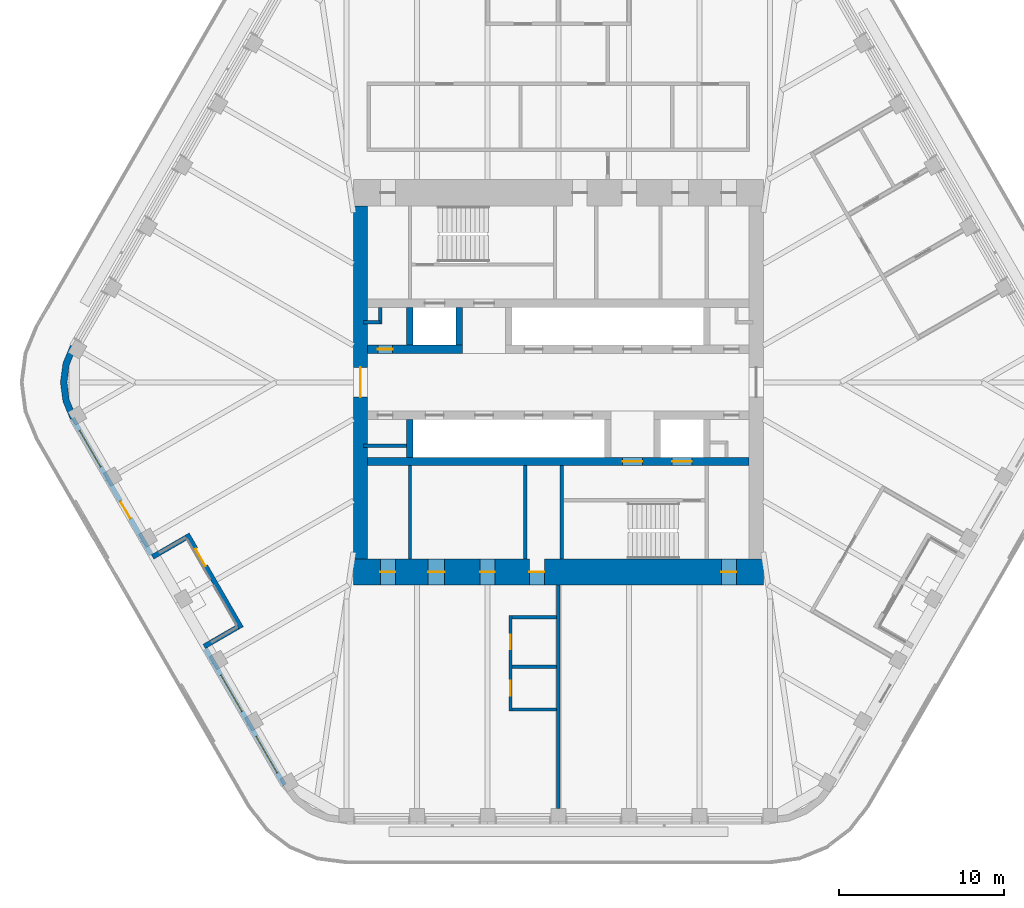
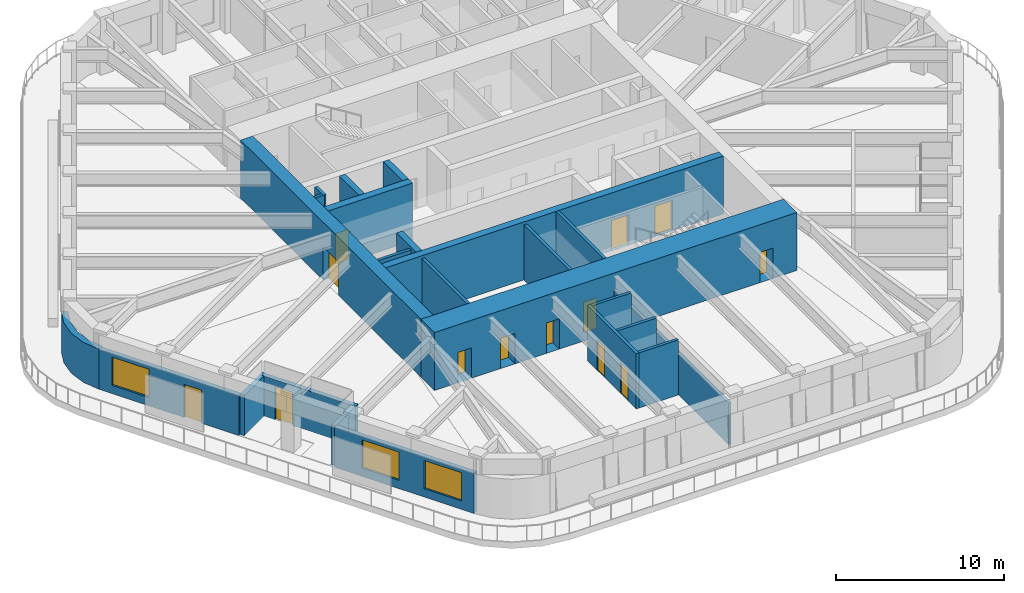
# One storey, part 13 of 19: 24 walls, 13 doors, 3 windows, 16 openings.
"""IFC4 building model written with IfcOpenShell, lengths in metres."""

from ifc_helpers import new_model, si_unit, direction, frame, frame_2d, origin, place, context, subcontext, project, spatial, polyline, rectangle, outline, extrude, material, layer, layer_set, type_object, element, fill, save


model = new_model("IFC4")

# Units and contexts
model_context = context("Model", 3, precision=1e-05, world=origin(), true_north=direction((0.0, 1.0)))
body_context = subcontext(model_context, "Body", "Model", "MODEL_VIEW")
ifc_project = project(units=[si_unit("LENGTHUNIT", "METRE"), si_unit("AREAUNIT", "SQUARE_METRE"), si_unit("VOLUMEUNIT", "CUBIC_METRE"), si_unit("PLANEANGLEUNIT", "RADIAN"), si_unit("MASSUNIT", "GRAM", prefix="KILO")], contexts=[model_context])

# Site, building, storey
site_placement = place(None, origin())
site = spatial("IfcSite", under=ifc_project, at=site_placement, CompositionType="ELEMENT")
building_placement = place(site_placement, origin())
building = spatial("IfcBuilding", under=site, at=building_placement, Name="Tarfa Lantern Tower", CompositionType="ELEMENT")
storey_placement = place(building_placement, frame((0.0, 0.0, 366.10009765625)))
storey = spatial("IfcBuildingStorey", under=building, at=storey_placement, Name="L83", CompositionType="ELEMENT", Elevation=366.10009765625)

# Wall, openings, door, window
ifc_material_1 = material(Name="Limestone cladding on blockwork", Category="masonry")
ifc_layer_1 = layer(ifc_material_1, 0.300048828125)
ifc_layer_set_1 = layer_set([ifc_layer_1], Name="EW1 STONE-CLAD WALL 300")
wall_type_1 = type_object("IfcWallType", Name="EW1 STONE-CLAD WALL 300", PredefinedType="SOLIDWALL", material=ifc_layer_set_1)
wall_1_placement = place(storey_placement, frame((-29.459228515625, -2.175048828125, 0.0), z_axis=(0.0, 0.0, 1.0), x_axis=(0.499996453679, -0.866027451244, 0.0)))
wall_1 = element("IfcWall", 1, at=wall_1_placement, inside=storey, type_object=wall_type_1, Name="Stone wall SW", PredefinedType="SOLIDWALL", context=body_context, shape_type="SweptSolid", body=[
    extrude(rectangle(XDim=9.56396484375, YDim=0.300048828125, at=frame_2d((4.781982421875, 0.0))), origin(), (0.0, 0.0, 1.0), 2.89990234375),
])
opening_1_placement = place(wall_1_placement, frame((0.865966796875, 0.0, 0.60009765625)))
opening_1 = element("IfcOpeningElement", 2, at=opening_1_placement, cuts=wall_1, Name="Opening W17", PredefinedType="OPENING", context=body_context, shape_type="SweptSolid", body=[
    extrude(rectangle(XDim=2.550048828125, YDim=2.050048828125, at=frame_2d((1.27490234375, 1.02490234375))), frame((0.0, 0.159912109375, 0.0), z_axis=(0.0, -1.0, 0.0), x_axis=(1.0, 0.0, 0.0)), (0.0, 0.0, 1.0), 0.320068359375),
])
opening_2_placement = place(wall_1_placement, frame((5.822998046875, 0.0, 0.0)))
opening_2 = element("IfcOpeningElement", 3, at=opening_2_placement, cuts=wall_1, Name="Opening D38", PredefinedType="OPENING", context=body_context, shape_type="SweptSolid", body=[
    extrude(rectangle(XDim=1.199951171875, YDim=2.39990234375, at=frame_2d((0.60009765625, 1.199951171875))), frame((0.0, 0.159912109375, 0.0), z_axis=(0.0, -1.0, 0.0), x_axis=(1.0, 0.0, 0.0)), (0.0, 0.0, 1.0), 0.320068359375),
])
ifc_material_2 = material(Name="Aluminium framed glazed door", Category="aluminium")
door_type_1 = type_object("IfcDoorType", Name="BE3 BALCONY DOOR 1200x2400", OperationType="SINGLE_SWING_RIGHT", PredefinedType="DOOR", material=ifc_material_2)
door_1_placement = place(opening_2_placement, origin())
door_1 = element("IfcDoor", 4, at=door_1_placement, inside=storey, type_object=door_type_1, Name="Balcony door SW", OperationType="SINGLE_SWING_LEFT", OverallHeight=2.39990234375, OverallWidth=1.199951171875, PredefinedType="DOOR", context=body_context, shape_type="SweptSolid", body=[
    extrude(rectangle(XDim=1.199951171875, YDim=2.39990234375, at=frame_2d((0.60009765625, 1.199951171875))), frame((0.0, 0.02490234375, 0.0), z_axis=(0.0, -1.0, 0.0), x_axis=(1.0, 0.0, 0.0)), (0.0, 0.0, 1.0), 0.050048828125),
])
fill(opening_2, door_1)
ifc_material_3 = material(Name="Aluminium frame, double glazed", Category="aluminium")
window_type = type_object("IfcWindowType", Name="W17 FULL-HEIGHT GLAZING 2550x2050", PartitioningType="SINGLE_PANEL", PredefinedType="WINDOW", material=ifc_material_3)
window_1_placement = place(opening_1_placement, origin())
window_1 = element("IfcWindow", 5, at=window_1_placement, inside=storey, type_object=window_type, Name="Window SW 1", OverallHeight=2.050048828125, OverallWidth=2.550048828125, PartitioningType="SINGLE_PANEL", PredefinedType="WINDOW", context=body_context, shape_type="SweptSolid", body=[
    extrude(rectangle(XDim=2.550048828125, YDim=2.050048828125, at=frame_2d((1.27490234375, 1.02490234375))), frame((0.0, 0.030029296875, 0.0), z_axis=(0.0, -1.0, 0.0), x_axis=(1.0, 0.0, 0.0)), (0.0, 0.0, 1.0), 0.06005859375),
])
fill(opening_1, window_1)

# Wall, openings, windows
wall_2_placement = place(storey_placement, frame((-21.395263671875, -16.142333984375, 0.0), z_axis=(0.0, 0.0, 1.0), x_axis=(0.499996453679, -0.866027451244, 0.0)))
wall_2 = element("IfcWall", 6, at=wall_2_placement, inside=storey, type_object=wall_type_1, Name="Stone wall SWB", PredefinedType="SOLIDWALL", context=body_context, shape_type="SweptSolid", body=[
    extrude(rectangle(XDim=9.56396484375, YDim=0.300048828125, at=frame_2d((4.781982421875, 0.0))), origin(), (0.0, 0.0, 1.0), 2.89990234375),
])
opening_3_placement = place(wall_2_placement, frame((1.865966796875, 0.0, 0.60009765625)))
opening_3 = element("IfcOpeningElement", 7, at=opening_3_placement, cuts=wall_2, Name="Opening W17", PredefinedType="OPENING", context=body_context, shape_type="SweptSolid", body=[
    extrude(rectangle(XDim=2.550048828125, YDim=2.050048828125, at=frame_2d((1.27490234375, 1.02490234375))), frame((0.0, 0.159912109375, 0.0), z_axis=(0.0, -1.0, 0.0), x_axis=(1.0, 0.0, 0.0)), (0.0, 0.0, 1.0), 0.320068359375),
])
opening_4_placement = place(wall_2_placement, frame((6.14794921875, 0.0, 0.60009765625)))
opening_4 = element("IfcOpeningElement", 8, at=opening_4_placement, cuts=wall_2, Name="Opening W17", PredefinedType="OPENING", context=body_context, shape_type="SweptSolid", body=[
    extrude(rectangle(XDim=2.550048828125, YDim=2.050048828125, at=frame_2d((1.27490234375, 1.02490234375))), frame((0.0, 0.159912109375, 0.0), z_axis=(0.0, -1.0, 0.0), x_axis=(1.0, 0.0, 0.0)), (0.0, 0.0, 1.0), 0.320068359375),
])
window_2_placement = place(opening_3_placement, origin())
window_2 = element("IfcWindow", 9, at=window_2_placement, inside=storey, type_object=window_type, Name="Window SWB 1", OverallHeight=2.050048828125, OverallWidth=2.550048828125, PartitioningType="SINGLE_PANEL", PredefinedType="WINDOW", context=body_context, shape_type="SweptSolid", body=[
    extrude(rectangle(XDim=2.550048828125, YDim=2.050048828125, at=frame_2d((1.27490234375, 1.02490234375))), frame((0.0, 0.030029296875, 0.0), z_axis=(0.0, -1.0, 0.0), x_axis=(1.0, 0.0, 0.0)), (0.0, 0.0, 1.0), 0.06005859375),
])
fill(opening_3, window_2)
window_3_placement = place(opening_4_placement, origin())
window_3 = element("IfcWindow", 10, at=window_3_placement, inside=storey, type_object=window_type, Name="Window SWB 2", OverallHeight=2.050048828125, OverallWidth=2.550048828125, PartitioningType="SINGLE_PANEL", PredefinedType="WINDOW", context=body_context, shape_type="SweptSolid", body=[
    extrude(rectangle(XDim=2.550048828125, YDim=2.050048828125, at=frame_2d((1.27490234375, 1.02490234375))), frame((0.0, 0.030029296875, 0.0), z_axis=(0.0, -1.0, 0.0), x_axis=(1.0, 0.0, 0.0)), (0.0, 0.0, 1.0), 0.06005859375),
])
fill(opening_4, window_3)

# Walls
for number, where, z_axis, x_axis, name in (
    (11, (-24.602294921875, -10.587646484375, 0.0), (0.0, 0.0, 1.0), (0.866016039709, 0.500016218704, 0.0), "Terrace return SW 1"),
    (12, (-21.47021484375, -16.012451171875, 0.0), (0.0, 0.0, 1.0), (0.866016039709, 0.500016218704, 0.0), "Terrace return SW 2"),
):
    element("IfcWall", number, at=place(storey_placement, frame(where, z_axis=z_axis, x_axis=x_axis)), inside=storey, type_object=wall_type_1, Name=name, PredefinedType="SOLIDWALL", context=body_context, shape_type="SweptSolid", body=[
        extrude(rectangle(XDim=2.35009765625, YDim=0.300048828125, at=frame_2d((1.175048828125, 0.0))), origin(), (0.0, 0.0, 1.0), 2.89990234375),
    ])

# Wall, opening, door
wall_3_placement = place(storey_placement, frame((-22.51220703125, -9.207763671875, 0.0), z_axis=(0.0, 0.0, 1.0), x_axis=(0.499999339774, -0.866025784966, 0.0)))
wall_3 = element("IfcWall", 13, at=wall_3_placement, inside=storey, type_object=wall_type_1, Name="Stone wall SWS", PredefinedType="SOLIDWALL", context=body_context, shape_type="SweptSolid", body=[
    extrude(rectangle(XDim=6.56396484375, YDim=0.300048828125, at=frame_2d((3.281982421875, 0.0))), origin(), (0.0, 0.0, 1.0), 2.89990234375),
])
opening_5_placement = place(wall_3_placement, frame((1.041015625, 0.0, 0.0)))
opening_5 = element("IfcOpeningElement", 14, at=opening_5_placement, cuts=wall_3, Name="Opening D39", PredefinedType="OPENING", context=body_context, shape_type="SweptSolid", body=[
    extrude(rectangle(XDim=1.199951171875, YDim=2.39990234375, at=frame_2d((0.60009765625, 1.199951171875))), frame((0.0, 0.159912109375, 0.0), z_axis=(0.0, -1.0, 0.0), x_axis=(1.0, 0.0, 0.0)), (0.0, 0.0, 1.0), 0.320068359375),
])
door_2_placement = place(opening_5_placement, origin())
door_2 = element("IfcDoor", 15, at=door_2_placement, inside=storey, type_object=door_type_1, Name="Balcony door SWS", OperationType="SINGLE_SWING_RIGHT", OverallHeight=2.39990234375, OverallWidth=1.199951171875, PredefinedType="DOOR", context=body_context, shape_type="SweptSolid", body=[
    extrude(rectangle(XDim=1.199951171875, YDim=2.39990234375, at=frame_2d((0.60009765625, 1.199951171875))), frame((0.0, 0.02490234375, 0.0), z_axis=(0.0, -1.0, 0.0), x_axis=(1.0, 0.0, 0.0)), (0.0, 0.0, 1.0), 0.050048828125),
])
fill(opening_5, door_2)

# Walls
ifc_layer_2 = layer(ifc_material_1, 0.39990234375)
ifc_layer_set_2 = layer_set([ifc_layer_2], Name="EW2 CURVED STONE CORNER 400")
wall_type_2 = type_object("IfcWallType", Name="EW2 CURVED STONE CORNER 400", PredefinedType="SOLIDWALL", material=ifc_layer_set_2)
wall_4_placement = place(storey_placement, origin())
element("IfcWall", 16, at=wall_4_placement, inside=storey, type_object=wall_type_2, Name="Stone corner NW-SW", PredefinedType="SOLIDWALL", context=body_context, shape_type="SweptSolid", body=[
    extrude(outline(polyline([(-29.589111328125, 2.25), (-30.038818359375, 1.164794921875), (-30.192138671875, 0.0), (-30.038818359375, -1.164794921875), (-29.589111328125, -2.25), (-29.24267578125, -2.050048828125), (-29.65234375, -1.061279296875), (-29.7919921875, 0.0), (-29.65234375, 1.061279296875), (-29.24267578125, 2.050048828125), (-29.589111328125, 2.25)])), origin(), (0.0, 0.0, 1.0), 2.89990234375),
])
ifc_material_4 = material(Name="Concrete blockwork", Category="masonry")
ifc_layer_3 = layer(ifc_material_4, 0.199951171875)
ifc_layer_set_3 = layer_set([ifc_layer_3], Name="IW1 BLOCKWORK PARTITION 200 EI 120")
wall_type_3 = type_object("IfcWallType", Name="IW1 BLOCKWORK PARTITION 200 EI 120", PredefinedType="PARTITIONING", material=ifc_layer_set_3)
for number, where, z_axis, x_axis, name in (
    (17, (-9.0, -5.050048828125, 0.0), (0.0, 0.0, 1.0), (0.0, -1.0, 0.0), "Core partition"),
    (18, (-2.0, -5.050048828125, 0.0), (0.0, 0.0, 1.0), (0.0, -1.0, 0.0), "Core partition"),
):
    element("IfcWall", number, at=place(storey_placement, frame(where, z_axis=z_axis, x_axis=x_axis)), inside=storey, type_object=wall_type_3, Name=name, PredefinedType="PARTITIONING", context=body_context, shape_type="SweptSolid", body=[
        extrude(rectangle(XDim=5.64990234375, YDim=0.199951171875, at=frame_2d((2.824951171875, 0.0))), origin(), (0.0, 0.0, 1.0), 4.0),
    ])
for number, where, z_axis, x_axis, name in (
    (19, (-11.800048828125, 3.64990234375, 0.0), (0.0, 0.0, 1.0), (1.0, 0.0, 0.0), "Core partition"),
    (20, (-10.800048828125, 3.550048828125, 0.0), (0.0, 0.0, 1.0), (0.0, 1.0, 0.0), "Core partition"),
):
    element("IfcWall", number, at=place(storey_placement, frame(where, z_axis=z_axis, x_axis=x_axis)), inside=storey, type_object=wall_type_3, Name=name, PredefinedType="PARTITIONING", context=body_context, shape_type="SweptSolid", body=[
        extrude(rectangle(XDim=1.0, YDim=0.199951171875, at=frame_2d((0.5, 0.0))), origin(), (0.0, 0.0, 1.0), 4.0),
    ])
wall_5_placement = place(storey_placement, frame((-9.199951171875, -3.85009765625, 0.0), z_axis=(0.0, 0.0, 1.0), x_axis=(-1.0, 0.0, 0.0)))
element("IfcWall", 21, at=wall_5_placement, inside=storey, type_object=wall_type_3, Name="Core partition", PredefinedType="PARTITIONING", context=body_context, shape_type="SweptSolid", body=[
    extrude(rectangle(XDim=2.60009765625, YDim=0.199951171875, at=frame_2d((1.300048828125, 0.0))), origin(), (0.0, 0.0, 1.0), 4.0),
])
ifc_material_5 = material(Name="Gypsum board on steel studs", Category="steel")
ifc_layer_4 = layer(ifc_material_5, 0.2099609375)
ifc_layer_set_4 = layer_set([ifc_layer_4], Name="IW2 ACOUSTIC PARTITION 200")
wall_type_4 = type_object("IfcWallType", Name="IW2 ACOUSTIC PARTITION 200", PredefinedType="PARTITIONING", material=ifc_layer_set_4)
wall_6_placement = place(storey_placement, frame((0.0, -12.300048828125, 0.0), z_axis=(0.0, 0.0, 1.0), x_axis=(0.0, -1.0, 0.0)))
element("IfcWall", 22, at=wall_6_placement, inside=storey, type_object=wall_type_4, Name="Partition", PredefinedType="PARTITIONING", context=body_context, shape_type="SweptSolid", body=[
    extrude(rectangle(XDim=13.550048828125, YDim=0.199951171875, at=frame_2d((6.77490234375, 0.0))), origin(), (0.0, 0.0, 1.0), 2.99169921875),
])

# Wall, openings, doors
wall_7_placement = place(storey_placement, frame((-2.89990234375, -14.142578125, 0.0), z_axis=(0.0, 0.0, 1.0), x_axis=(0.0, -1.0, 0.0)))
wall_7 = element("IfcWall", 23, at=wall_7_placement, inside=storey, type_object=wall_type_4, Name="Partition", PredefinedType="PARTITIONING", context=body_context, shape_type="SweptSolid", body=[
    extrude(rectangle(XDim=5.7998046875, YDim=0.199951171875, at=frame_2d((2.89990234375, 0.0))), origin(), (0.0, 0.0, 1.0), 4.0),
])
opening_6_placement = place(wall_7_placement, frame((1.14990234375, 0.0, 0.0)))
opening_6 = element("IfcOpeningElement", 24, at=opening_6_placement, cuts=wall_7, Name="Opening D31", PredefinedType="OPENING", context=body_context, shape_type="SweptSolid", body=[
    extrude(rectangle(XDim=0.89990234375, YDim=2.199951171875, at=frame_2d((0.449951171875, 1.10009765625))), frame((0.0, 0.10986328125, 0.0), z_axis=(0.0, -1.0, 0.0), x_axis=(1.0, 0.0, 0.0)), (0.0, 0.0, 1.0), 0.219970703125),
])
opening_7_placement = place(wall_7_placement, frame((3.949951171875, 0.0, 0.0)))
opening_7 = element("IfcOpeningElement", 25, at=opening_7_placement, cuts=wall_7, Name="Opening D32", PredefinedType="OPENING", context=body_context, shape_type="SweptSolid", body=[
    extrude(rectangle(XDim=0.89990234375, YDim=2.199951171875, at=frame_2d((0.449951171875, 1.10009765625))), frame((0.0, 0.10986328125, 0.0), z_axis=(0.0, -1.0, 0.0), x_axis=(1.0, 0.0, 0.0)), (0.0, 0.0, 1.0), 0.219970703125),
])
ifc_material_6 = material(Name="Timber door", Category="wood")
door_type_2 = type_object("IfcDoorType", Name="DR3 ROOM DOOR 900x2200", OperationType="SINGLE_SWING_LEFT", PredefinedType="DOOR", material=ifc_material_6)
door_3_placement = place(opening_6_placement, origin())
door_3 = element("IfcDoor", 26, at=door_3_placement, inside=storey, type_object=door_type_2, Name="Wellness room door", OperationType="SINGLE_SWING_RIGHT", OverallHeight=2.199951171875, OverallWidth=0.89990234375, PredefinedType="DOOR", context=body_context, shape_type="SweptSolid", body=[
    extrude(rectangle(XDim=0.89990234375, YDim=2.199951171875, at=frame_2d((0.449951171875, 1.10009765625))), frame((0.0, 0.02490234375, 0.0), z_axis=(0.0, -1.0, 0.0), x_axis=(1.0, 0.0, 0.0)), (0.0, 0.0, 1.0), 0.050048828125),
])
fill(opening_6, door_3)
door_4_placement = place(opening_7_placement, origin())
door_4 = element("IfcDoor", 27, at=door_4_placement, inside=storey, type_object=door_type_2, Name="Quiet room door", OperationType="SINGLE_SWING_LEFT", OverallHeight=2.199951171875, OverallWidth=0.89990234375, PredefinedType="DOOR", context=body_context, shape_type="SweptSolid", body=[
    extrude(rectangle(XDim=0.89990234375, YDim=2.199951171875, at=frame_2d((0.449951171875, 1.10009765625))), frame((0.0, 0.02490234375, 0.0), z_axis=(0.0, -1.0, 0.0), x_axis=(1.0, 0.0, 0.0)), (0.0, 0.0, 1.0), 0.050048828125),
])
fill(opening_7, door_4)

# Walls
for number, where, z_axis, x_axis, name in (
    (28, (-0.10009765625, -14.242431640625, 0.0), (0.0, 0.0, 1.0), (-1.0, 0.0, 0.0), "Partition"),
    (29, (-0.10009765625, -17.242431640625, 0.0), (0.0, 0.0, 1.0), (-1.0, 0.0, 0.0), "Partition"),
    (30, (-0.10009765625, -19.842529296875, 0.0), (0.0, 0.0, 1.0), (-1.0, 0.0, 0.0), "Partition"),
):
    element("IfcWall", number, at=place(storey_placement, frame(where, z_axis=z_axis, x_axis=x_axis)), inside=storey, type_object=wall_type_4, Name=name, PredefinedType="PARTITIONING", context=body_context, shape_type="SweptSolid", body=[
        extrude(rectangle(XDim=2.699951171875, YDim=0.199951171875, at=frame_2d((1.35009765625, 0.0))), origin(), (0.0, 0.0, 1.0), 4.0),
    ])
ifc_material_7 = material(Name="Concrete C80/95", Category="concrete")
ifc_layer_5 = layer(ifc_material_7, 0.199951171875)
ifc_layer_set_5 = layer_set([ifc_layer_5], Name="SW12 CORE WALL 200")
wall_type_5 = type_object("IfcWallType", Name="SW12 CORE WALL 200", PredefinedType="SHEAR", material=ifc_layer_set_5)
wall_8_placement = place(storey_placement, frame((0.199951171875, -5.050048828125, 0.0), z_axis=(0.0, 0.0, 1.0), x_axis=(0.0, -1.0, 0.0)))
element("IfcWall", 31, at=wall_8_placement, inside=storey, type_object=wall_type_5, Name="Core wall stair shaft S", PredefinedType="SHEAR", context=body_context, shape_type="SweptSolid", body=[
    extrude(rectangle(XDim=5.64990234375, YDim=0.199951171875, at=frame_2d((2.824951171875, 0.0))), origin(), (0.0, 0.0, 1.0), 4.199951171875),
])

# Wall, opening, door
ifc_layer_6 = layer(ifc_material_7, 0.85009765625)
ifc_layer_set_6 = layer_set([ifc_layer_6], Name="SW3 CORE WALL 850")
wall_type_6 = type_object("IfcWallType", Name="SW3 CORE WALL 850", PredefinedType="SHEAR", material=ifc_layer_set_6)
wall_9_placement = place(storey_placement, frame((-12.0, 10.699951171875, 0.0), z_axis=(0.0, 0.0, 1.0), x_axis=(0.0, -1.0, 0.0)))
wall_9 = element("IfcWall", 32, at=wall_9_placement, inside=storey, type_object=wall_type_6, Name="Core wall W", PredefinedType="SHEAR", context=body_context, shape_type="SweptSolid", body=[
    extrude(rectangle(XDim=21.39990234375, YDim=0.85009765625, at=frame_2d((10.699951171875, 0.0))), origin(), (0.0, 0.0, 1.0), 4.199951171875),
])
opening_8_placement = place(wall_9_placement, frame((9.800048828125, 0.0, 0.0)))
opening_8 = element("IfcOpeningElement", 33, at=opening_8_placement, cuts=wall_9, Name="Opening D08", PredefinedType="OPENING", context=body_context, shape_type="SweptSolid", body=[
    extrude(rectangle(XDim=1.800048828125, YDim=2.39990234375, at=frame_2d((0.89990234375, 1.199951171875))), frame((0.0, 0.43505859375, 0.0), z_axis=(0.0, -1.0, 0.0), x_axis=(1.0, 0.0, 0.0)), (0.0, 0.0, 1.0), 0.8701171875),
])
ifc_material_8 = material(Name="Steel fire door", Category="steel")
door_type_3 = type_object("IfcDoorType", Name="DL1 LOBBY DOOR 1800x2400", OperationType="DOUBLE_DOOR_SINGLE_SWING", PredefinedType="DOOR", material=ifc_material_8)
door_5_placement = place(opening_8_placement, frame((1.800048828125, 0.0, 0.0), z_axis=(0.0, 0.0, 1.0), x_axis=(-1.0, 0.0, 0.0)))
door_5 = element("IfcDoor", 34, at=door_5_placement, inside=storey, type_object=door_type_3, Name="Lift lobby door", OperationType="DOUBLE_DOOR_SINGLE_SWING", OverallHeight=2.39990234375, OverallWidth=1.800048828125, PredefinedType="DOOR", context=body_context, shape_type="SweptSolid", body=[
    extrude(rectangle(XDim=1.800048828125, YDim=2.39990234375, at=frame_2d((0.89990234375, 1.199951171875))), frame((0.0, 0.02490234375, 0.0), z_axis=(0.0, -1.0, 0.0), x_axis=(1.0, 0.0, 0.0)), (0.0, 0.0, 1.0), 0.050048828125),
])
fill(opening_8, door_5)

ifc_layer_7 = layer(ifc_material_7, 0.5)
ifc_layer_set_7 = layer_set([ifc_layer_7], Name="SW5 CORE WALL 500")
wall_type_7 = type_object("IfcWallType", Name="SW5 CORE WALL 500", PredefinedType="SHEAR", material=ifc_layer_set_7)
wall_10_placement = place(storey_placement, frame((-11.574951171875, 2.0, 0.0), z_axis=(0.0, 0.0, 1.0), x_axis=(1.0, 0.0, 0.0)))
wall_10 = element("IfcWall", 35, at=wall_10_placement, inside=storey, type_object=wall_type_7, Name="Core wall lobby west N", PredefinedType="SHEAR", context=body_context, shape_type="SweptSolid", body=[
    extrude(rectangle(XDim=5.77490234375, YDim=0.5, at=frame_2d((2.887451171875, 0.0))), origin(), (0.0, 0.0, 1.0), 4.199951171875),
])
opening_9_placement = place(wall_10_placement, frame((0.625, 0.0, 0.0)))
opening_9 = element("IfcOpeningElement", 36, at=opening_9_placement, cuts=wall_10, Name="Opening D11", PredefinedType="OPENING", context=body_context, shape_type="SweptSolid", body=[
    extrude(rectangle(XDim=0.89990234375, YDim=2.199951171875, at=frame_2d((0.449951171875, 1.10009765625))), frame((0.0, 0.260009765625, 0.0), z_axis=(0.0, -1.0, 0.0), x_axis=(1.0, 0.0, 0.0)), (0.0, 0.0, 1.0), 0.52001953125),
])
door_type_4 = type_object("IfcDoorType", Name="DF6 SERVICE ROOM DOOR 900x2200", OperationType="SINGLE_SWING_LEFT", PredefinedType="DOOR", material=ifc_material_8)
door_6_placement = place(opening_9_placement, origin())
door_6 = element("IfcDoor", 37, at=door_6_placement, inside=storey, type_object=door_type_4, Name="Service room door", OperationType="SINGLE_SWING_RIGHT", OverallHeight=2.199951171875, OverallWidth=0.89990234375, PredefinedType="DOOR", context=body_context, shape_type="SweptSolid", body=[
    extrude(rectangle(XDim=0.89990234375, YDim=2.199951171875, at=frame_2d((0.449951171875, 1.10009765625))), frame((0.0, 0.02490234375, 0.0), z_axis=(0.0, -1.0, 0.0), x_axis=(1.0, 0.0, 0.0)), (0.0, 0.0, 1.0), 0.050048828125),
])
fill(opening_9, door_6)

# Wall, openings, doors
wall_11_placement = place(storey_placement, frame((11.574951171875, -4.800048828125, 0.0), z_axis=(0.0, 0.0, 1.0), x_axis=(-1.0, 0.0, 0.0)))
wall_11 = element("IfcWall", 38, at=wall_11_placement, inside=storey, type_object=wall_type_7, Name="Core wall rear S", PredefinedType="SHEAR", context=body_context, shape_type="SweptSolid", body=[
    extrude(rectangle(XDim=23.14990234375, YDim=0.5, at=frame_2d((11.574951171875, 0.0))), origin(), (0.0, 0.0, 1.0), 4.199951171875),
])
opening_10_placement = place(wall_11_placement, frame((6.47509765625, 0.0, 0.0)))
opening_10 = element("IfcOpeningElement", 39, at=opening_10_placement, cuts=wall_11, Name="Opening D06", PredefinedType="OPENING", context=body_context, shape_type="SweptSolid", body=[
    extrude(rectangle(XDim=1.199951171875, YDim=2.199951171875, at=frame_2d((0.60009765625, 1.10009765625))), frame((0.0, 0.260009765625, 0.0), z_axis=(0.0, -1.0, 0.0), x_axis=(1.0, 0.0, 0.0)), (0.0, 0.0, 1.0), 0.52001953125),
])
opening_11_placement = place(wall_11_placement, frame((3.47509765625, 0.0, 0.0)))
opening_11 = element("IfcOpeningElement", 40, at=opening_11_placement, cuts=wall_11, Name="Opening LD02", PredefinedType="OPENING", context=body_context, shape_type="SweptSolid", body=[
    extrude(rectangle(XDim=1.199951171875, YDim=2.199951171875, at=frame_2d((0.60009765625, 1.10009765625))), frame((0.0, 0.260009765625, 0.0), z_axis=(0.0, -1.0, 0.0), x_axis=(1.0, 0.0, 0.0)), (0.0, 0.0, 1.0), 0.52001953125),
])
door_type_5 = type_object("IfcDoorType", Name="DF1 FIREFIGHTING LOBBY DOOR 1200x2200", OperationType="SINGLE_SWING_LEFT", PredefinedType="DOOR", material=ifc_material_8)
door_7_placement = place(opening_10_placement, origin())
door_7 = element("IfcDoor", 41, at=door_7_placement, inside=storey, type_object=door_type_5, Name="Firefighting lobby door", OperationType="SINGLE_SWING_LEFT", OverallHeight=2.199951171875, OverallWidth=1.199951171875, PredefinedType="DOOR", context=body_context, shape_type="SweptSolid", body=[
    extrude(rectangle(XDim=1.199951171875, YDim=2.199951171875, at=frame_2d((0.60009765625, 1.10009765625))), frame((0.0, 0.02490234375, 0.0), z_axis=(0.0, -1.0, 0.0), x_axis=(1.0, 0.0, 0.0)), (0.0, 0.0, 1.0), 0.050048828125),
])
fill(opening_10, door_7)
ifc_material_9 = material(Name="Stainless steel lift door", Category="steel")
door_type_6 = type_object("IfcDoorType", Name="LD1 LIFT LANDING DOOR 1200x2200", OperationType="SLIDING_TO_LEFT", PredefinedType="DOOR", material=ifc_material_9)
door_8_placement = place(opening_11_placement, origin())
door_8 = element("IfcDoor", 42, at=door_8_placement, inside=storey, type_object=door_type_6, Name="Landing door FL2", OperationType="SLIDING_TO_LEFT", OverallHeight=2.199951171875, OverallWidth=1.199951171875, PredefinedType="DOOR", context=body_context, shape_type="SweptSolid", body=[
    extrude(rectangle(XDim=1.199951171875, YDim=2.199951171875, at=frame_2d((0.60009765625, 1.10009765625))), frame((0.0, 0.02490234375, 0.0), z_axis=(0.0, -1.0, 0.0), x_axis=(1.0, 0.0, 0.0)), (0.0, 0.0, 1.0), 0.050048828125),
])
fill(opening_11, door_8)

# Walls
ifc_layer_8 = layer(ifc_material_7, 0.39990234375)
ifc_layer_set_8 = layer_set([ifc_layer_8], Name="SW6 CORE WALL 400")
wall_type_8 = type_object("IfcWallType", Name="SW6 CORE WALL 400", PredefinedType="SHEAR", material=ifc_layer_set_8)
for number, where, z_axis, x_axis, name in (
    (43, (-9.0, 2.25, 0.0), (0.0, 0.0, 1.0), (0.0, 1.0, 0.0), "Core wall divider N"),
    (44, (-6.0, 2.25, 0.0), (0.0, 0.0, 1.0), (0.0, 1.0, 0.0), "Core wall divider N"),
    (45, (-9.0, -2.25, 0.0), (0.0, 0.0, 1.0), (0.0, -1.0, 0.0), "Core wall divider S"),
):
    element("IfcWall", number, at=place(storey_placement, frame(where, z_axis=z_axis, x_axis=x_axis)), inside=storey, type_object=wall_type_8, Name=name, PredefinedType="SHEAR", context=body_context, shape_type="SweptSolid", body=[
        extrude(rectangle(XDim=2.300048828125, YDim=0.39990234375, at=frame_2d((1.14990234375, 0.0))), origin(), (0.0, 0.0, 1.0), 4.199951171875),
    ])

# Wall, openings, doors
ifc_layer_9 = layer(ifc_material_7, 1.60009765625)
ifc_layer_set_9 = layer_set([ifc_layer_9], Name="SW7 CORE WALL 1600")
wall_type_9 = type_object("IfcWallType", Name="SW7 CORE WALL 1600", PredefinedType="SHEAR", material=ifc_layer_set_9)
wall_12_placement = place(storey_placement, frame((12.425048828125, -11.5, 0.0), z_axis=(0.0, 0.0, 1.0), x_axis=(-1.0, 0.0, 0.0)))
wall_12 = element("IfcWall", 46, at=wall_12_placement, inside=storey, type_object=wall_type_9, Name="Core wall S", PredefinedType="SHEAR", context=body_context, shape_type="SweptSolid", body=[
    extrude(rectangle(XDim=24.85009765625, YDim=1.60009765625, at=frame_2d((12.425048828125, 0.0))), origin(), (0.0, 0.0, 1.0), 4.199951171875),
])
opening_12_placement = place(wall_12_placement, frame((13.27490234375, 0.0, 0.0)))
opening_12 = element("IfcOpeningElement", 47, at=opening_12_placement, cuts=wall_12, Name="Opening D14", PredefinedType="OPENING", context=body_context, shape_type="SweptSolid", body=[
    extrude(rectangle(XDim=0.89990234375, YDim=2.199951171875, at=frame_2d((0.449951171875, 1.10009765625))), frame((0.0, 0.81005859375, 0.0), z_axis=(0.0, -1.0, 0.0), x_axis=(1.0, 0.0, 0.0)), (0.0, 0.0, 1.0), 1.6201171875),
])
opening_13_placement = place(wall_12_placement, frame((16.27490234375, 0.0, 0.0)))
opening_13 = element("IfcOpeningElement", 48, at=opening_13_placement, cuts=wall_12, Name="Opening D16", PredefinedType="OPENING", context=body_context, shape_type="SweptSolid", body=[
    extrude(rectangle(XDim=0.89990234375, YDim=2.199951171875, at=frame_2d((0.449951171875, 1.10009765625))), frame((0.0, 0.81005859375, 0.0), z_axis=(0.0, -1.0, 0.0), x_axis=(1.0, 0.0, 0.0)), (0.0, 0.0, 1.0), 1.6201171875),
])
opening_14_placement = place(wall_12_placement, frame((19.324951171875, 0.0, 0.0)))
opening_14 = element("IfcOpeningElement", 49, at=opening_14_placement, cuts=wall_12, Name="Opening D18", PredefinedType="OPENING", context=body_context, shape_type="SweptSolid", body=[
    extrude(rectangle(XDim=1.0, YDim=2.199951171875, at=frame_2d((0.5, 1.10009765625))), frame((0.0, 0.81005859375, 0.0), z_axis=(0.0, -1.0, 0.0), x_axis=(1.0, 0.0, 0.0)), (0.0, 0.0, 1.0), 1.6201171875),
])
opening_15_placement = place(wall_12_placement, frame((1.637451171875, 0.0, 0.0)))
opening_15 = element("IfcOpeningElement", 50, at=opening_15_placement, cuts=wall_12, Name="Opening D04", PredefinedType="OPENING", context=body_context, shape_type="SweptSolid", body=[
    extrude(rectangle(XDim=0.89990234375, YDim=2.199951171875, at=frame_2d((0.449951171875, 1.10009765625))), frame((0.0, 0.81005859375, 0.0), z_axis=(0.0, -1.0, 0.0), x_axis=(1.0, 0.0, 0.0)), (0.0, 0.0, 1.0), 1.6201171875),
])
opening_16_placement = place(wall_12_placement, frame((22.3125, 0.0, 0.0)))
opening_16 = element("IfcOpeningElement", 51, at=opening_16_placement, cuts=wall_12, Name="Opening D02", PredefinedType="OPENING", context=body_context, shape_type="SweptSolid", body=[
    extrude(rectangle(XDim=0.89990234375, YDim=2.199951171875, at=frame_2d((0.449951171875, 1.10009765625))), frame((0.0, 0.81005859375, 0.0), z_axis=(0.0, -1.0, 0.0), x_axis=(1.0, 0.0, 0.0)), (0.0, 0.0, 1.0), 1.6201171875),
])
door_type_7 = type_object("IfcDoorType", Name="DF3 CORE ROOM DOOR 900x2200", OperationType="SINGLE_SWING_LEFT", PredefinedType="DOOR", material=ifc_material_8)
door_9_placement = place(opening_12_placement, frame((0.89990234375, 0.0, 0.0), z_axis=(0.0, 0.0, 1.0), x_axis=(-1.0, 0.0, 0.0)))
door_9 = element("IfcDoor", 52, at=door_9_placement, inside=storey, type_object=door_type_7, Name="Core door", OperationType="SINGLE_SWING_RIGHT", OverallHeight=2.199951171875, OverallWidth=0.89990234375, PredefinedType="DOOR", context=body_context, shape_type="SweptSolid", body=[
    extrude(rectangle(XDim=0.89990234375, YDim=2.199951171875, at=frame_2d((0.449951171875, 1.10009765625))), frame((0.0, 0.02490234375, 0.0), z_axis=(0.0, -1.0, 0.0), x_axis=(1.0, 0.0, 0.0)), (0.0, 0.0, 1.0), 0.050048828125),
])
fill(opening_12, door_9)
door_10_placement = place(opening_13_placement, frame((0.89990234375, 0.0, 0.0), z_axis=(0.0, 0.0, 1.0), x_axis=(-1.0, 0.0, 0.0)))
door_10 = element("IfcDoor", 53, at=door_10_placement, inside=storey, type_object=door_type_7, Name="Core door", OperationType="SINGLE_SWING_LEFT", OverallHeight=2.199951171875, OverallWidth=0.89990234375, PredefinedType="DOOR", context=body_context, shape_type="SweptSolid", body=[
    extrude(rectangle(XDim=0.89990234375, YDim=2.199951171875, at=frame_2d((0.449951171875, 1.10009765625))), frame((0.0, 0.02490234375, 0.0), z_axis=(0.0, -1.0, 0.0), x_axis=(1.0, 0.0, 0.0)), (0.0, 0.0, 1.0), 0.050048828125),
])
fill(opening_13, door_10)
door_type_8 = type_object("IfcDoorType", Name="DF4 CORE ROOM DOOR 1000x2200", OperationType="SINGLE_SWING_LEFT", PredefinedType="DOOR", material=ifc_material_8)
door_11_placement = place(opening_14_placement, frame((1.0, 0.0, 0.0), z_axis=(0.0, 0.0, 1.0), x_axis=(-1.0, 0.0, 0.0)))
door_11 = element("IfcDoor", 54, at=door_11_placement, inside=storey, type_object=door_type_8, Name="Core door", OperationType="SINGLE_SWING_RIGHT", OverallHeight=2.199951171875, OverallWidth=1.0, PredefinedType="DOOR", context=body_context, shape_type="SweptSolid", body=[
    extrude(rectangle(XDim=1.0, YDim=2.199951171875, at=frame_2d((0.5, 1.10009765625))), frame((0.0, 0.02490234375, 0.0), z_axis=(0.0, -1.0, 0.0), x_axis=(1.0, 0.0, 0.0)), (0.0, 0.0, 1.0), 0.050048828125),
])
fill(opening_14, door_11)
door_type_9 = type_object("IfcDoorType", Name="DF5 RISER DOOR 900x2200", OperationType="SINGLE_SWING_LEFT", PredefinedType="DOOR", material=ifc_material_8)
door_12_placement = place(opening_15_placement, frame((0.89990234375, 0.0, 0.0), z_axis=(0.0, 0.0, 1.0), x_axis=(-1.0, 0.0, 0.0)))
door_12 = element("IfcDoor", 55, at=door_12_placement, inside=storey, type_object=door_type_9, Name="Riser door", OperationType="SINGLE_SWING_LEFT", OverallHeight=2.199951171875, OverallWidth=0.89990234375, PredefinedType="DOOR", context=body_context, shape_type="SweptSolid", body=[
    extrude(rectangle(XDim=0.89990234375, YDim=2.199951171875, at=frame_2d((0.449951171875, 1.10009765625))), frame((0.0, 0.02490234375, 0.0), z_axis=(0.0, -1.0, 0.0), x_axis=(1.0, 0.0, 0.0)), (0.0, 0.0, 1.0), 0.050048828125),
])
fill(opening_15, door_12)
door_13_placement = place(opening_16_placement, frame((0.89990234375, 0.0, 0.0), z_axis=(0.0, 0.0, 1.0), x_axis=(-1.0, 0.0, 0.0)))
door_13 = element("IfcDoor", 56, at=door_13_placement, inside=storey, type_object=door_type_9, Name="Riser door", OperationType="SINGLE_SWING_RIGHT", OverallHeight=2.199951171875, OverallWidth=0.89990234375, PredefinedType="DOOR", context=body_context, shape_type="SweptSolid", body=[
    extrude(rectangle(XDim=0.89990234375, YDim=2.199951171875, at=frame_2d((0.449951171875, 1.10009765625))), frame((0.0, 0.02490234375, 0.0), z_axis=(0.0, -1.0, 0.0), x_axis=(1.0, 0.0, 0.0)), (0.0, 0.0, 1.0), 0.050048828125),
])
fill(opening_16, door_13)

save(model, "model.ifc")
